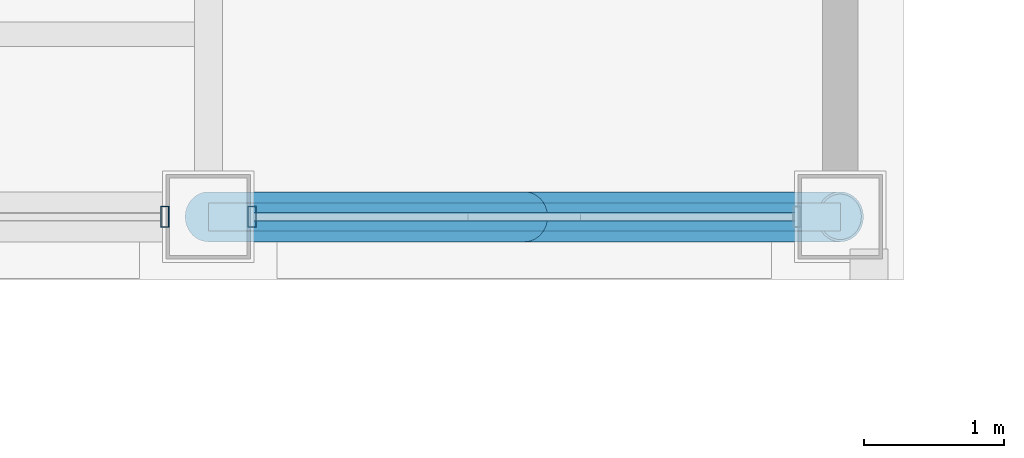
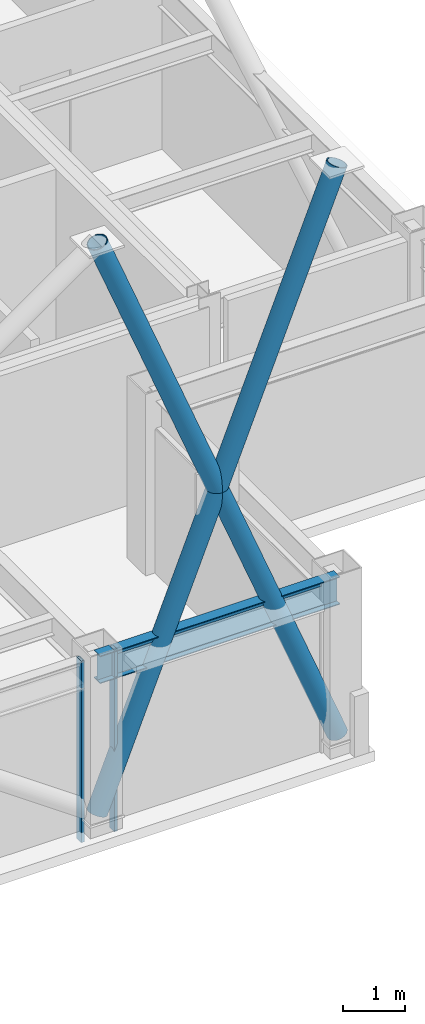
# One storey, part 6 of 24: 6 members, 1 beam, 2 elements without a shape of their own.
"""IFC4 building model written with IfcOpenShell, lengths in metres."""

import ifcopenshell
import ifcopenshell.guid

model = None  # the IFC model being written
_history = None  # IfcOwnerHistory: only IFC2X3 demands one
_inside = {}  # id of a spatial element -> (the spatial element, [elements in it])
_under = {}  # id of a project, library or spatial element -> (it, [spatial elements below it])
_declared = {}  # id of a project -> (the project, [libraries it declares])
_typed = {}  # id of a type object -> (the type object, [elements of that type])
_made_of = {}  # id of a material, layer set ... -> (it, [elements and type objects made of it])


def new_model(schema):
    """Start an empty IFC model of exactly this schema.

    Asked for "IFC4X3", IfcOpenShell would pick the latest addendum, in which some entities
    have other attributes; the version numbers below select the first issue.
    IFC2X3 requires an IfcOwnerHistory on every rooted entity: one is made here for all.
    """
    global model, _history
    if schema == "IFC4X3":
        model = ifcopenshell.file(schema_version=(4, 3, 0, 0))
    else:
        model = ifcopenshell.file(schema=schema)
    _inside.clear()
    _under.clear()
    _declared.clear()
    _typed.clear()
    _made_of.clear()
    _history = None
    if model.schema == "IFC2X3":
        org = make("IfcOrganization", Name="unknown")
        user = make(
            "IfcPersonAndOrganization",
            ThePerson=make("IfcPerson", FamilyName="unknown"),
            TheOrganization=org,
        )
        app = make(
            "IfcApplication",
            ApplicationDeveloper=org,
            Version="unknown",
            ApplicationFullName="unknown",
            ApplicationIdentifier="unknown",
        )
        _history = make(
            "IfcOwnerHistory",
            OwningUser=user,
            OwningApplication=app,
            ChangeAction="ADDED",
            CreationDate=0,
        )
    return model


def make(cls, **values):
    """One entity of the class cls with the attributes given. An attribute that is None is left unset."""
    return model.create_entity(
        cls, **{name: value for name, value in values.items() if value is not None}
    )


def rooted(cls, **values):
    """An entity with a GlobalId (a new one), such as an element, a storey or a relation."""
    return make(cls, GlobalId=ifcopenshell.guid.new(), OwnerHistory=_history, **values)


def si_unit(unit_type, name, prefix=None):
    """IfcSIUnit, for example si_unit("LENGTHUNIT", "METRE", prefix="MILLI")."""
    return make("IfcSIUnit", UnitType=unit_type, Prefix=prefix, Name=name)


def assignment(units):
    """IfcUnitAssignment: the units of a project."""
    return None if units is None else make("IfcUnitAssignment", Units=units)


def point(xyz):
    """IfcCartesianPoint."""
    return None if xyz is None else make("IfcCartesianPoint", Coordinates=xyz)


def direction(xyz):
    """IfcDirection."""
    return None if xyz is None else make("IfcDirection", DirectionRatios=xyz)


def frame(location, z_axis=None, x_axis=None):
    """IfcAxis2Placement3D, a coordinate frame: its origin and axes. An axis left out is left unset."""
    return make(
        "IfcAxis2Placement3D",
        Location=point(location),
        Axis=direction(z_axis),
        RefDirection=direction(x_axis),
    )


def frame_2d(location, x_axis=None):
    """IfcAxis2Placement2D, a coordinate frame in the plane: its origin and x axis."""
    return make(
        "IfcAxis2Placement2D", Location=point(location), RefDirection=direction(x_axis)
    )


def origin():
    """The frame at (0, 0, 0) with its axes left unset."""
    return frame((0.0, 0.0, 0.0))


def origin_2d():
    """The frame at (0, 0) in the plane with its x axis left unset."""
    return frame_2d((0.0, 0.0))


def place(relative_to, where):
    """IfcLocalPlacement: puts the frame where relative to a parent placement (None: the world)."""
    return make(
        "IfcLocalPlacement", PlacementRelTo=relative_to, RelativePlacement=where
    )


def context(
    kind, dimensions, precision=None, world=None, true_north=None, identifier=None
):
    """IfcGeometricRepresentationContext, for example the 3D "Model" context."""
    return make(
        "IfcGeometricRepresentationContext",
        ContextIdentifier=identifier,
        ContextType=kind,
        CoordinateSpaceDimension=dimensions,
        Precision=precision,
        WorldCoordinateSystem=world,
        TrueNorth=true_north,
    )


def subcontext(parent, identifier, kind, view, scale=None):
    """IfcGeometricRepresentationSubContext, for example "Body" below "Model"."""
    return make(
        "IfcGeometricRepresentationSubContext",
        ContextIdentifier=identifier,
        ContextType=kind,
        ParentContext=parent,
        TargetScale=scale,
        TargetView=view,
    )


def project(units=None, contexts=None):
    """IfcProject with its units and contexts."""
    return rooted(
        "IfcProject",
        Name="project",
        RepresentationContexts=contexts,
        UnitsInContext=assignment(units),
    )


def spatial(cls, under=None, at=None, **own):
    """A site, building, storey or space (cls), placed at a placement, below another one or the project."""
    s = rooted(cls, ObjectPlacement=at, **own)
    if under is not None:
        _under.setdefault(under.id(), (under, []))[1].append(s)
    return s


def profile(cls, at=None, kind="AREA", **sizes):
    """A parametric profile (cls). Its sizes go by their IFC names, for example OverallWidth=200.0."""
    return make(cls, ProfileType=kind, Position=at, **sizes)


def hollow_rectangle(**sizes):
    """IfcRectangleHollowProfileDef."""
    return profile("IfcRectangleHollowProfileDef", **sizes)


def hollow_circle(**sizes):
    """IfcCircleHollowProfileDef."""
    return profile("IfcCircleHollowProfileDef", **sizes)


def i_section(**sizes):
    """IfcIShapeProfileDef."""
    return profile("IfcIShapeProfileDef", **sizes)


def extrude(swept, where, along, depth):
    """IfcExtrudedAreaSolid: the profile swept, set in the frame where, extruded along a direction by depth."""
    return make(
        "IfcExtrudedAreaSolid",
        SweptArea=swept,
        Position=where,
        ExtrudedDirection=direction(along),
        Depth=depth,
    )


def shape(context_of_items, identifier, shape_type, items):
    """IfcShapeRepresentation: the items that make up one representation, for example the "Body"."""
    return make(
        "IfcShapeRepresentation",
        ContextOfItems=context_of_items,
        RepresentationIdentifier=identifier,
        RepresentationType=shape_type,
        Items=items,
    )


def material(Name=None, Category=None):
    """IfcMaterial."""
    return make("IfcMaterial", Name=Name, Category=Category)


def layer(
    of_material, thickness, ventilated=None, Name=None, Category=None, Priority=None
):
    """IfcMaterialLayer: one layer of a wall or slab, of a material (None: an air gap)."""
    return make(
        "IfcMaterialLayer",
        Material=of_material,
        LayerThickness=thickness,
        IsVentilated=ventilated,
        Name=Name,
        Category=Category,
        Priority=Priority,
    )


def layer_set(layers, Name=None):
    """IfcMaterialLayerSet."""
    return make("IfcMaterialLayerSet", MaterialLayers=layers, LayerSetName=Name)


def material_profile(
    of_material, cross_section, Name=None, Category=None, Priority=None
):
    """IfcMaterialProfile: a cross section and its material."""
    return make(
        "IfcMaterialProfile",
        Name=Name,
        Material=of_material,
        Profile=cross_section,
        Priority=Priority,
        Category=Category,
    )


def profile_set(profiles, Name=None, composite=None):
    """IfcMaterialProfileSet."""
    return make(
        "IfcMaterialProfileSet",
        Name=Name,
        MaterialProfiles=profiles,
        CompositeProfile=composite,
    )


def made_of(thing, what):
    """Note that an element or type object is made of a material, layer set ...; save() writes the relation."""
    if what is not None:
        _made_of.setdefault(what.id(), (what, []))[1].append(thing)
    return thing


def type_object(cls, material=None, **own):
    """A type object (cls), such as IfcWallType, which elements share."""
    return made_of(rooted(cls, **own), material)


def element(
    cls,
    number,
    at=None,
    inside=None,
    cuts=None,
    type_object=None,
    material=None,
    context=None,
    identifier="Body",
    shape_type=None,
    held_by="IfcProductDefinitionShape",
    body=None,
    shapes=None,
    **own,
):
    """One element of the class cls, such as IfcWall. Its Tag is "e" and its number.

    at: its placement. inside: the storey or other place that contains it. cuts: it is an
    opening in that element (IfcRelVoidsElement). A single representation is given by context,
    identifier, shape_type and body (its items); several are given by shapes. held_by: the class
    of the entity that holds the representations. save() writes the other relations.
    """
    e = rooted(cls, Tag="e%d" % number, ObjectPlacement=at, **own)
    if body is not None:
        shapes = [shape(context, identifier, shape_type, body)]
    if shapes is not None:
        e.Representation = make(held_by, Representations=shapes)
    if inside is not None:
        _inside.setdefault(inside.id(), (inside, []))[1].append(e)
    if cuts is not None:
        rooted(
            "IfcRelVoidsElement", RelatingBuildingElement=cuts, RelatedOpeningElement=e
        )
    if type_object is not None:
        _typed.setdefault(type_object.id(), (type_object, []))[1].append(e)
    return made_of(e, material)


def aggregate(whole, parts):
    """IfcRelAggregates: a whole, such as a stair, and the parts it consists of."""
    return rooted("IfcRelAggregates", RelatingObject=whole, RelatedObjects=parts)


def save(model, path):
    """Write the relations noted so far, then the file.

    IfcRelAggregates (storeys below a building ...), IfcRelContainedInSpatialStructure (elements
    in a storey), IfcRelDefinesByType, IfcRelAssociatesMaterial and IfcRelDeclares: one each for
    every whole, place, type object, material and project.
    """
    for whole, parts in _under.values():
        aggregate(whole, parts)
    for where, things in _inside.values():
        rooted(
            "IfcRelContainedInSpatialStructure",
            RelatedElements=things,
            RelatingStructure=where,
        )
    for kind, things in _typed.values():
        rooted("IfcRelDefinesByType", RelatedObjects=things, RelatingType=kind)
    for what, things in _made_of.values():
        rooted("IfcRelAssociatesMaterial", RelatedObjects=things, RelatingMaterial=what)
    for by, libraries in _declared.values():
        rooted("IfcRelDeclares", RelatingContext=by, RelatedDefinitions=libraries)
    model.write(path)


model = new_model("IFC4")

# Units and contexts
model_context = context("Model", 3, precision=1e-05, world=origin(), true_north=direction((0.0, 1.0)))
body_context = subcontext(model_context, "Body", "Model", "MODEL_VIEW")
ifc_project = project(units=[si_unit("LENGTHUNIT", "METRE"), si_unit("AREAUNIT", "SQUARE_METRE"), si_unit("VOLUMEUNIT", "CUBIC_METRE"), si_unit("PLANEANGLEUNIT", "RADIAN"), si_unit("MASSUNIT", "GRAM", prefix="KILO")], contexts=[model_context])

# Site, building, storey
site_placement = place(None, origin())
site = spatial("IfcSite", under=ifc_project, at=site_placement, CompositionType="ELEMENT")
building_placement = place(site_placement, origin())
building = spatial("IfcBuilding", under=site, at=building_placement, Name="Brelmoor Portico Tower", CompositionType="ELEMENT")
storey_placement = place(building_placement, frame((0.0, 0.0, 268.800048828125)))
storey = spatial("IfcBuildingStorey", under=building, at=storey_placement, Name="L71", CompositionType="ELEMENT", Elevation=268.800048828125)

# Beam
ifc_material_1 = material(Name="Steel Q355B", Category="steel")
ifc_material_profile_1 = material_profile(ifc_material_1, i_section(OverallWidth=0.199951171875, OverallDepth=0.550048828125, WebThickness=0.010009765625, FlangeThickness=0.01611328125, at=origin_2d()), Name="HN 550x200x10x16")
ifc_profile_set_1 = profile_set([ifc_material_profile_1], Name="Steel Q355B")
beam_type = type_object("IfcBeamType", Name="BM-SP-550", PredefinedType="SPANDREL", material=ifc_profile_set_1)
beam_placement = place(storey_placement, frame((8.050048828125, -17.550048828125, 3.125), z_axis=(1.0, 0.0, 0.0), x_axis=(0.0, 1.0, 0.0)))
element("IfcBeam", 1, at=beam_placement, inside=storey, type_object=beam_type, Name="L71 Perimeter Spandrel Beam SP-03", PredefinedType="SPANDREL", context=body_context, shape_type="SweptSolid", body=[
    extrude(i_section(OverallWidth=0.199951171875, OverallDepth=0.550048828125, WebThickness=0.010009765625, FlangeThickness=0.01611328125, at=origin_2d()), origin(), (0.0, 0.0, 1.0), 4.5),
])

# Members
ifc_material_profile_2 = material_profile(ifc_material_1, hollow_circle(Radius=0.177978515625, WallThickness=0.01611328125, at=origin_2d()), Name="CHS 356x16")
ifc_profile_set_2 = profile_set([ifc_material_profile_2], Name="Steel Q355B")
member_type_1 = type_object("IfcMemberType", Name="MB-BELT-DIAG2", PredefinedType="BRACE", material=ifc_profile_set_2)
member_1_placement = place(storey_placement, frame((8.050048828125, -17.550048828125, 0.25), z_axis=(0.369971343663, 0.0, 0.929043166311), x_axis=(0.0, 1.0, 0.0)))
element("IfcMember", 2, at=member_1_placement, inside=storey, type_object=member_type_1, Name="L71 Continuous Mega-X Brace 157A", PredefinedType="BRACE", context=body_context, shape_type="SweptSolid", body=[
    extrude(hollow_circle(Radius=0.177978515625, WallThickness=0.01611328125, at=origin_2d()), origin(), (0.0, 0.0, 1.0), 12.1630859375),
])
member_2_placement = place(storey_placement, frame((12.550048828125, -17.550048828125, 0.25), z_axis=(-0.369978242995, 0.0, 0.929040418771), x_axis=(0.0, -1.0, 0.0)))
element("IfcMember", 3, at=member_2_placement, inside=storey, type_object=member_type_1, Name="L71 Split Mega-X Brace 157B1", PredefinedType="BRACE", context=body_context, shape_type="SweptSolid", body=[
    extrude(hollow_circle(Radius=0.177978515625, WallThickness=0.01611328125, at=origin_2d()), origin(), (0.0, 0.0, 1.0), 6.08154296875),
])
member_3_placement = place(storey_placement, frame((10.300048828125, -17.550048828125, 5.89990234375), z_axis=(-0.369964444567, 0.0, 0.929045913696), x_axis=(0.0, -1.0, 0.0)))
element("IfcMember", 4, at=member_3_placement, inside=storey, type_object=member_type_1, Name="L71 Split Mega-X Brace 157B2", PredefinedType="BRACE", context=body_context, shape_type="SweptSolid", body=[
    extrude(hollow_circle(Radius=0.177978515625, WallThickness=0.01611328125, at=origin_2d()), origin(), (0.0, 0.0, 1.0), 6.081787109375),
])

# Curtain wall, member
ifc_material_2 = material(Name="Anodised Aluminium Alloy 6063-T6", Category="aluminium")
ifc_layer = layer(ifc_material_2, 0.179931640625)
ifc_layer_set = layer_set([ifc_layer], Name="Anodised Aluminium Alloy 6063-T6")
curtain_wall_type = type_object("IfcCurtainWallType", Name="CW-TOWER-Z4-XB", PredefinedType="NOTDEFINED", material=ifc_layer_set)
curtain_wall_1_placement = place(storey_placement, origin())
curtain_wall_1 = element("IfcCurtainWall", 5, at=curtain_wall_1_placement, inside=storey, type_object=curtain_wall_type, Name="L71 Curtain Wall CW-L71-01-2", PredefinedType="NOTDEFINED")
ifc_material_profile_3 = material_profile(ifc_material_2, hollow_rectangle(XDim=0.06005859375, YDim=0.14990234375, WallThickness=0.00390625, at=origin_2d()), Name="ALU MULLION 60x150")
ifc_profile_set_3 = profile_set([ifc_material_profile_3], Name="Anodised Aluminium Alloy 6063-T6")
member_type_2 = type_object("IfcMemberType", Name="MB-CW-MULL-150", PredefinedType="MULLION", material=ifc_profile_set_3)
member_4_placement = place(storey_placement, frame((7.739990234375, -17.550048828125, -0.199951171875), z_axis=(0.0, 0.0, 1.0), x_axis=(1.0, 0.0, 0.0)))
member_4 = element("IfcMember", 6, at=member_4_placement, type_object=member_type_2, Name="CW-L71-01-2 Mullion 01", PredefinedType="MULLION", context=body_context, shape_type="SweptSolid", body=[
    extrude(hollow_rectangle(XDim=0.06005859375, YDim=0.14990234375, WallThickness=0.00390625, at=origin_2d()), origin(), (0.0, 0.0, 1.0), 3.599853515625),
])
aggregate(curtain_wall_1, [member_4])

# Curtain wall, members
curtain_wall_2_placement = place(storey_placement, origin())
curtain_wall_2 = element("IfcCurtainWall", 7, at=curtain_wall_2_placement, inside=storey, type_object=curtain_wall_type, Name="L71 Curtain Wall CW-L71-01-3", PredefinedType="NOTDEFINED")
member_5_placement = place(storey_placement, frame((8.360107421875, -17.550048828125, -0.199951171875), z_axis=(0.0, 0.0, 1.0), x_axis=(1.0, 0.0, 0.0)))
member_5 = element("IfcMember", 8, at=member_5_placement, type_object=member_type_2, Name="CW-L71-01-3 Mullion 00", PredefinedType="MULLION", context=body_context, shape_type="SweptSolid", body=[
    extrude(hollow_rectangle(XDim=0.06005859375, YDim=0.14990234375, WallThickness=0.00390625, at=origin_2d()), origin(), (0.0, 0.0, 1.0), 3.599853515625),
])
ifc_material_profile_4 = material_profile(ifc_material_2, hollow_rectangle(XDim=0.06005859375, YDim=0.125, WallThickness=0.00341796875, at=origin_2d()), Name="ALU TRANSOM 60x125")
ifc_profile_set_4 = profile_set([ifc_material_profile_4], Name="Anodised Aluminium Alloy 6063-T6")
member_type_3 = type_object("IfcMemberType", Name="MB-CW-TRAN-125", PredefinedType="USERDEFINED", material=ifc_profile_set_4)
member_6_placement = place(storey_placement, frame((8.360107421875, -17.550048828125, 3.33740234375), z_axis=(1.0, 0.0, 0.0), x_axis=(0.0, 1.0, 0.0)))
member_6 = element("IfcMember", 9, at=member_6_placement, type_object=member_type_3, Name="CW-L71-01-3 Transom 1-00", ObjectType="TRANSOM", PredefinedType="USERDEFINED", context=body_context, shape_type="SweptSolid", body=[
    extrude(hollow_rectangle(XDim=0.06005859375, YDim=0.125, WallThickness=0.00341796875, at=origin_2d()), origin(), (0.0, 0.0, 1.0), 3.8798828125),
])
aggregate(curtain_wall_2, [member_5, member_6])

save(model, "model.ifc")
